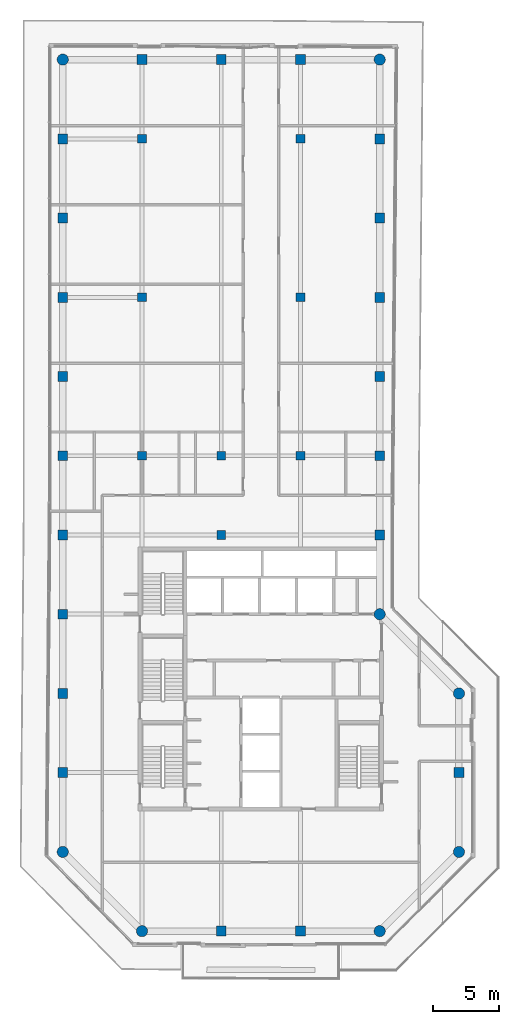
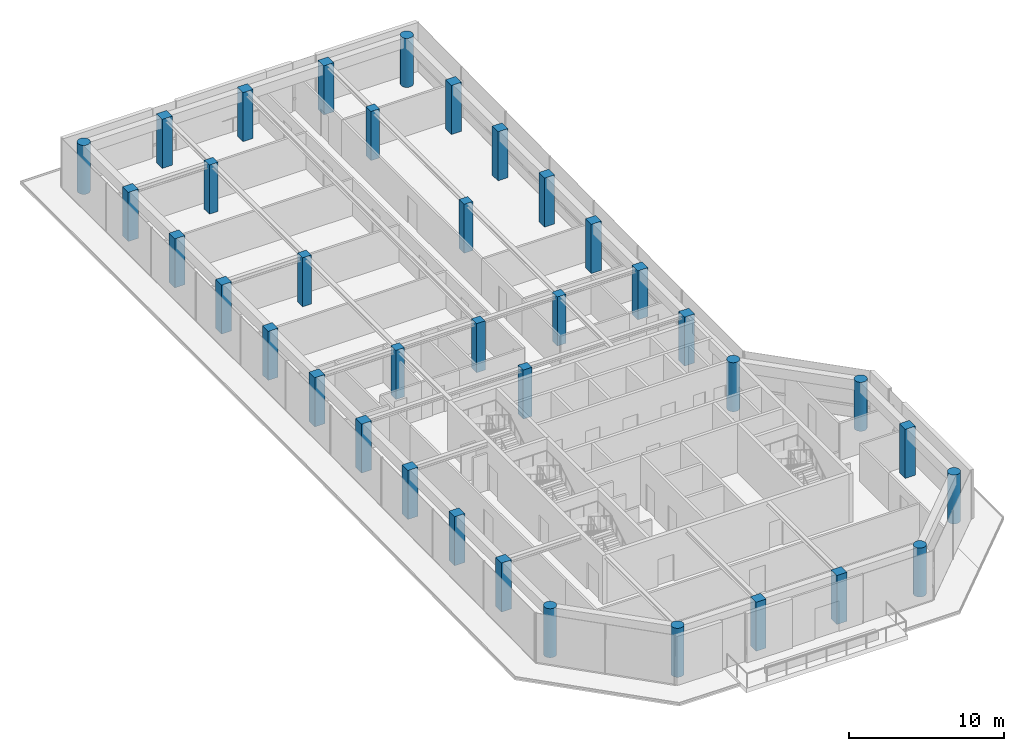
# One storey, part 1 of 18: 37 columns.
"""IFC4 building model written with IfcOpenShell, lengths in metres."""

import ifcopenshell
import ifcopenshell.guid

model = None  # the IFC model being written
_history = None  # IfcOwnerHistory: only IFC2X3 demands one
_inside = {}  # id of a spatial element -> (the spatial element, [elements in it])
_under = {}  # id of a project, library or spatial element -> (it, [spatial elements below it])
_declared = {}  # id of a project -> (the project, [libraries it declares])
_typed = {}  # id of a type object -> (the type object, [elements of that type])
_made_of = {}  # id of a material, layer set ... -> (it, [elements and type objects made of it])


def new_model(schema):
    """Start an empty IFC model of exactly this schema.

    Asked for "IFC4X3", IfcOpenShell would pick the latest addendum, in which some entities
    have other attributes; the version numbers below select the first issue.
    IFC2X3 requires an IfcOwnerHistory on every rooted entity: one is made here for all.
    """
    global model, _history
    if schema == "IFC4X3":
        model = ifcopenshell.file(schema_version=(4, 3, 0, 0))
    else:
        model = ifcopenshell.file(schema=schema)
    _inside.clear()
    _under.clear()
    _declared.clear()
    _typed.clear()
    _made_of.clear()
    _history = None
    if model.schema == "IFC2X3":
        org = make("IfcOrganization", Name="unknown")
        user = make(
            "IfcPersonAndOrganization",
            ThePerson=make("IfcPerson", FamilyName="unknown"),
            TheOrganization=org,
        )
        app = make(
            "IfcApplication",
            ApplicationDeveloper=org,
            Version="unknown",
            ApplicationFullName="unknown",
            ApplicationIdentifier="unknown",
        )
        _history = make(
            "IfcOwnerHistory",
            OwningUser=user,
            OwningApplication=app,
            ChangeAction="ADDED",
            CreationDate=0,
        )
    return model


def make(cls, **values):
    """One entity of the class cls with the attributes given. An attribute that is None is left unset."""
    return model.create_entity(
        cls, **{name: value for name, value in values.items() if value is not None}
    )


def rooted(cls, **values):
    """An entity with a GlobalId (a new one), such as an element, a storey or a relation."""
    return make(cls, GlobalId=ifcopenshell.guid.new(), OwnerHistory=_history, **values)


def si_unit(unit_type, name, prefix=None):
    """IfcSIUnit, for example si_unit("LENGTHUNIT", "METRE", prefix="MILLI")."""
    return make("IfcSIUnit", UnitType=unit_type, Prefix=prefix, Name=name)


def assignment(units):
    """IfcUnitAssignment: the units of a project."""
    return None if units is None else make("IfcUnitAssignment", Units=units)


def point(xyz):
    """IfcCartesianPoint."""
    return None if xyz is None else make("IfcCartesianPoint", Coordinates=xyz)


def direction(xyz):
    """IfcDirection."""
    return None if xyz is None else make("IfcDirection", DirectionRatios=xyz)


def frame(location, z_axis=None, x_axis=None):
    """IfcAxis2Placement3D, a coordinate frame: its origin and axes. An axis left out is left unset."""
    return make(
        "IfcAxis2Placement3D",
        Location=point(location),
        Axis=direction(z_axis),
        RefDirection=direction(x_axis),
    )


def frame_2d(location, x_axis=None):
    """IfcAxis2Placement2D, a coordinate frame in the plane: its origin and x axis."""
    return make(
        "IfcAxis2Placement2D", Location=point(location), RefDirection=direction(x_axis)
    )


def origin():
    """The frame at (0, 0, 0) with its axes left unset."""
    return frame((0.0, 0.0, 0.0))


def origin_2d():
    """The frame at (0, 0) in the plane with its x axis left unset."""
    return frame_2d((0.0, 0.0))


def place(relative_to, where):
    """IfcLocalPlacement: puts the frame where relative to a parent placement (None: the world)."""
    return make(
        "IfcLocalPlacement", PlacementRelTo=relative_to, RelativePlacement=where
    )


def context(
    kind, dimensions, precision=None, world=None, true_north=None, identifier=None
):
    """IfcGeometricRepresentationContext, for example the 3D "Model" context."""
    return make(
        "IfcGeometricRepresentationContext",
        ContextIdentifier=identifier,
        ContextType=kind,
        CoordinateSpaceDimension=dimensions,
        Precision=precision,
        WorldCoordinateSystem=world,
        TrueNorth=true_north,
    )


def subcontext(parent, identifier, kind, view, scale=None):
    """IfcGeometricRepresentationSubContext, for example "Body" below "Model"."""
    return make(
        "IfcGeometricRepresentationSubContext",
        ContextIdentifier=identifier,
        ContextType=kind,
        ParentContext=parent,
        TargetScale=scale,
        TargetView=view,
    )


def project(units=None, contexts=None):
    """IfcProject with its units and contexts."""
    return rooted(
        "IfcProject",
        Name="project",
        RepresentationContexts=contexts,
        UnitsInContext=assignment(units),
    )


def spatial(cls, under=None, at=None, **own):
    """A site, building, storey or space (cls), placed at a placement, below another one or the project."""
    s = rooted(cls, ObjectPlacement=at, **own)
    if under is not None:
        _under.setdefault(under.id(), (under, []))[1].append(s)
    return s


def profile(cls, at=None, kind="AREA", **sizes):
    """A parametric profile (cls). Its sizes go by their IFC names, for example OverallWidth=200.0."""
    return make(cls, ProfileType=kind, Position=at, **sizes)


def rectangle(**sizes):
    """IfcRectangleProfileDef."""
    return profile("IfcRectangleProfileDef", **sizes)


def circle(**sizes):
    """IfcCircleProfileDef."""
    return profile("IfcCircleProfileDef", **sizes)


def extrude(swept, where, along, depth):
    """IfcExtrudedAreaSolid: the profile swept, set in the frame where, extruded along a direction by depth."""
    return make(
        "IfcExtrudedAreaSolid",
        SweptArea=swept,
        Position=where,
        ExtrudedDirection=direction(along),
        Depth=depth,
    )


def shape(context_of_items, identifier, shape_type, items):
    """IfcShapeRepresentation: the items that make up one representation, for example the "Body"."""
    return make(
        "IfcShapeRepresentation",
        ContextOfItems=context_of_items,
        RepresentationIdentifier=identifier,
        RepresentationType=shape_type,
        Items=items,
    )


def material(Name=None, Category=None):
    """IfcMaterial."""
    return make("IfcMaterial", Name=Name, Category=Category)


def material_profile(
    of_material, cross_section, Name=None, Category=None, Priority=None
):
    """IfcMaterialProfile: a cross section and its material."""
    return make(
        "IfcMaterialProfile",
        Name=Name,
        Material=of_material,
        Profile=cross_section,
        Priority=Priority,
        Category=Category,
    )


def profile_set(profiles, Name=None, composite=None):
    """IfcMaterialProfileSet."""
    return make(
        "IfcMaterialProfileSet",
        Name=Name,
        MaterialProfiles=profiles,
        CompositeProfile=composite,
    )


def made_of(thing, what):
    """Note that an element or type object is made of a material, layer set ...; save() writes the relation."""
    if what is not None:
        _made_of.setdefault(what.id(), (what, []))[1].append(thing)
    return thing


def type_object(cls, material=None, **own):
    """A type object (cls), such as IfcWallType, which elements share."""
    return made_of(rooted(cls, **own), material)


def element(
    cls,
    number,
    at=None,
    inside=None,
    cuts=None,
    type_object=None,
    material=None,
    context=None,
    identifier="Body",
    shape_type=None,
    held_by="IfcProductDefinitionShape",
    body=None,
    shapes=None,
    **own,
):
    """One element of the class cls, such as IfcWall. Its Tag is "e" and its number.

    at: its placement. inside: the storey or other place that contains it. cuts: it is an
    opening in that element (IfcRelVoidsElement). A single representation is given by context,
    identifier, shape_type and body (its items); several are given by shapes. held_by: the class
    of the entity that holds the representations. save() writes the other relations.
    """
    e = rooted(cls, Tag="e%d" % number, ObjectPlacement=at, **own)
    if body is not None:
        shapes = [shape(context, identifier, shape_type, body)]
    if shapes is not None:
        e.Representation = make(held_by, Representations=shapes)
    if inside is not None:
        _inside.setdefault(inside.id(), (inside, []))[1].append(e)
    if cuts is not None:
        rooted(
            "IfcRelVoidsElement", RelatingBuildingElement=cuts, RelatedOpeningElement=e
        )
    if type_object is not None:
        _typed.setdefault(type_object.id(), (type_object, []))[1].append(e)
    return made_of(e, material)


def aggregate(whole, parts):
    """IfcRelAggregates: a whole, such as a stair, and the parts it consists of."""
    return rooted("IfcRelAggregates", RelatingObject=whole, RelatedObjects=parts)


def save(model, path):
    """Write the relations noted so far, then the file.

    IfcRelAggregates (storeys below a building ...), IfcRelContainedInSpatialStructure (elements
    in a storey), IfcRelDefinesByType, IfcRelAssociatesMaterial and IfcRelDeclares: one each for
    every whole, place, type object, material and project.
    """
    for whole, parts in _under.values():
        aggregate(whole, parts)
    for where, things in _inside.values():
        rooted(
            "IfcRelContainedInSpatialStructure",
            RelatedElements=things,
            RelatingStructure=where,
        )
    for kind, things in _typed.values():
        rooted("IfcRelDefinesByType", RelatedObjects=things, RelatingType=kind)
    for what, things in _made_of.values():
        rooted("IfcRelAssociatesMaterial", RelatedObjects=things, RelatingMaterial=what)
    for by, libraries in _declared.values():
        rooted("IfcRelDeclares", RelatingContext=by, RelatedDefinitions=libraries)
    model.write(path)


model = new_model("IFC4")

# Units and contexts
model_context = context("Model", 3, precision=1e-05, world=origin(), true_north=direction((0.0, 1.0)))
body_context = subcontext(model_context, "Body", "Model", "MODEL_VIEW")
ifc_project = project(units=[si_unit("LENGTHUNIT", "METRE"), si_unit("AREAUNIT", "SQUARE_METRE"), si_unit("VOLUMEUNIT", "CUBIC_METRE"), si_unit("PLANEANGLEUNIT", "RADIAN"), si_unit("MASSUNIT", "GRAM", prefix="KILO")], contexts=[model_context])

# Site, building, storey
site_placement = place(None, origin())
site = spatial("IfcSite", under=ifc_project, at=site_placement, CompositionType="ELEMENT")
building_placement = place(site_placement, origin())
building = spatial("IfcBuilding", under=site, at=building_placement, Name="Welwitschia Terrace Campus", CompositionType="ELEMENT")
storey_placement = place(building_placement, frame((0.0, 0.0, 285.199951171875)))
storey = spatial("IfcBuildingStorey", under=building, at=storey_placement, Name="L63", CompositionType="ELEMENT", Elevation=285.199951171875)

# Columns
ifc_material_1 = material(Name="Concrete C50/60", Category="concrete")
ifc_material_profile_1 = material_profile(ifc_material_1, circle(Radius=0.425048828125, at=origin_2d()))
ifc_profile_set_1 = profile_set([ifc_material_profile_1], Name="Concrete C50/60")
column_type_1 = type_object("IfcColumnType", Name="Corner column 850 dia", PredefinedType="COLUMN", material=ifc_profile_set_1)
for number, where, z_axis, x_axis, name in (
    (1, (0.0, 2.0, 0.0), (0.0, 0.0, 1.0), (1.0, 0.0, 0.0), "Column C41"),
    (2, (0.0, 62.0, 0.0), (0.0, 0.0, 1.0), (1.0, 0.0, 0.0), "Column C41"),
    (3, (6.0, -4.0, 0.0), (0.0, 0.0, 1.0), (1.0, 0.0, 0.0), "Column C41"),
    (4, (24.0, -4.0, 0.0), (0.0, 0.0, 1.0), (1.0, 0.0, 0.0), "Column C41"),
    (5, (24.0, 20.0, 0.0), (0.0, 0.0, 1.0), (1.0, 0.0, 0.0), "Column C41"),
    (6, (24.0, 62.0, 0.0), (0.0, 0.0, 1.0), (1.0, 0.0, 0.0), "Column C41"),
    (7, (30.0, 2.0, 0.0), (0.0, 0.0, 1.0), (1.0, 0.0, 0.0), "Column C41"),
    (8, (30.0, 14.0, 0.0), (0.0, 0.0, 1.0), (1.0, 0.0, 0.0), "Column C41"),
):
    element("IfcColumn", number, at=place(storey_placement, frame(where, z_axis=z_axis, x_axis=x_axis)), inside=storey, type_object=column_type_1, Name=name, PredefinedType="COLUMN", context=body_context, shape_type="SweptSolid", body=[
        extrude(circle(Radius=0.425048828125, at=origin_2d()), origin(), (0.0, 0.0, 1.0), 3.85009765625),
    ])
ifc_material_2 = material(Name="Concrete C50/60", Category="concrete")
ifc_material_profile_2 = material_profile(ifc_material_2, rectangle(XDim=0.64990234375, YDim=0.64990234375, at=origin_2d()))
ifc_profile_set_2 = profile_set([ifc_material_profile_2], Name="Concrete C50/60")
column_type_2 = type_object("IfcColumnType", Name="Interior column 650x650", PredefinedType="COLUMN", material=ifc_profile_set_2)
for number, where, z_axis, x_axis, name in (
    (9, (6.0, 32.0, 0.0), (0.0, 0.0, 1.0), (1.0, 0.0, 0.0), "Column C43"),
    (10, (6.0, 44.0, 0.0), (0.0, 0.0, 1.0), (1.0, 0.0, 0.0), "Column C43"),
    (11, (6.0, 56.0, 0.0), (0.0, 0.0, 1.0), (1.0, 0.0, 0.0), "Column C43"),
    (12, (12.0, 26.0, 0.0), (0.0, 0.0, 1.0), (1.0, 0.0, 0.0), "Column C43"),
    (13, (12.0, 32.0, 0.0), (0.0, 0.0, 1.0), (1.0, 0.0, 0.0), "Column C43"),
    (14, (18.0, 32.0, 0.0), (0.0, 0.0, 1.0), (1.0, 0.0, 0.0), "Column C43"),
    (15, (18.0, 44.0, 0.0), (0.0, 0.0, 1.0), (1.0, 0.0, 0.0), "Column C43"),
    (16, (18.0, 56.0, 0.0), (0.0, 0.0, 1.0), (1.0, 0.0, 0.0), "Column C43"),
):
    element("IfcColumn", number, at=place(storey_placement, frame(where, z_axis=z_axis, x_axis=x_axis)), inside=storey, type_object=column_type_2, Name=name, PredefinedType="COLUMN", context=body_context, shape_type="SweptSolid", body=[
        extrude(rectangle(XDim=0.64990234375, YDim=0.64990234375, at=origin_2d()), origin(), (0.0, 0.0, 1.0), 3.85009765625),
    ])
ifc_material_3 = material(Name="Concrete C50/60", Category="concrete")
ifc_material_profile_3 = material_profile(ifc_material_3, rectangle(XDim=0.75, YDim=0.75, at=origin_2d()))
ifc_profile_set_3 = profile_set([ifc_material_profile_3], Name="Concrete C50/60")
column_type_3 = type_object("IfcColumnType", Name="Ring column 750x750", PredefinedType="COLUMN", material=ifc_profile_set_3)
for number, where, z_axis, x_axis, name in (
    (17, (0.0, 8.0, 0.0), (0.0, 0.0, 1.0), (1.0, 0.0, 0.0), "Column C42"),
    (18, (0.0, 14.0, 0.0), (0.0, 0.0, 1.0), (1.0, 0.0, 0.0), "Column C42"),
    (19, (0.0, 20.0, 0.0), (0.0, 0.0, 1.0), (1.0, 0.0, 0.0), "Column C42"),
    (20, (0.0, 26.0, 0.0), (0.0, 0.0, 1.0), (1.0, 0.0, 0.0), "Column C42"),
    (21, (0.0, 32.0, 0.0), (0.0, 0.0, 1.0), (1.0, 0.0, 0.0), "Column C42"),
    (22, (0.0, 38.0, 0.0), (0.0, 0.0, 1.0), (1.0, 0.0, 0.0), "Column C42"),
    (23, (0.0, 44.0, 0.0), (0.0, 0.0, 1.0), (1.0, 0.0, 0.0), "Column C42"),
    (24, (0.0, 50.0, 0.0), (0.0, 0.0, 1.0), (1.0, 0.0, 0.0), "Column C42"),
    (25, (0.0, 56.0, 0.0), (0.0, 0.0, 1.0), (1.0, 0.0, 0.0), "Column C42"),
    (26, (6.0, 62.0, 0.0), (0.0, 0.0, 1.0), (1.0, 0.0, 0.0), "Column C42"),
    (27, (12.0, -4.0, 0.0), (0.0, 0.0, 1.0), (1.0, 0.0, 0.0), "Column C42"),
    (28, (12.0, 62.0, 0.0), (0.0, 0.0, 1.0), (1.0, 0.0, 0.0), "Column C42"),
    (29, (18.0, -4.0, 0.0), (0.0, 0.0, 1.0), (1.0, 0.0, 0.0), "Column C42"),
    (30, (18.0, 62.0, 0.0), (0.0, 0.0, 1.0), (1.0, 0.0, 0.0), "Column C42"),
    (31, (24.0, 26.0, 0.0), (0.0, 0.0, 1.0), (1.0, 0.0, 0.0), "Column C42"),
    (32, (24.0, 32.0, 0.0), (0.0, 0.0, 1.0), (1.0, 0.0, 0.0), "Column C42"),
    (33, (24.0, 38.0, 0.0), (0.0, 0.0, 1.0), (1.0, 0.0, 0.0), "Column C42"),
    (34, (24.0, 44.0, 0.0), (0.0, 0.0, 1.0), (1.0, 0.0, 0.0), "Column C42"),
    (35, (24.0, 50.0, 0.0), (0.0, 0.0, 1.0), (1.0, 0.0, 0.0), "Column C42"),
    (36, (24.0, 56.0, 0.0), (0.0, 0.0, 1.0), (1.0, 0.0, 0.0), "Column C42"),
    (37, (30.0, 8.0, 0.0), (0.0, 0.0, 1.0), (1.0, 0.0, 0.0), "Column C42"),
):
    element("IfcColumn", number, at=place(storey_placement, frame(where, z_axis=z_axis, x_axis=x_axis)), inside=storey, type_object=column_type_3, Name=name, PredefinedType="COLUMN", context=body_context, shape_type="SweptSolid", body=[
        extrude(rectangle(XDim=0.75, YDim=0.75, at=origin_2d()), origin(), (0.0, 0.0, 1.0), 3.85009765625),
    ])

save(model, "model.ifc")
